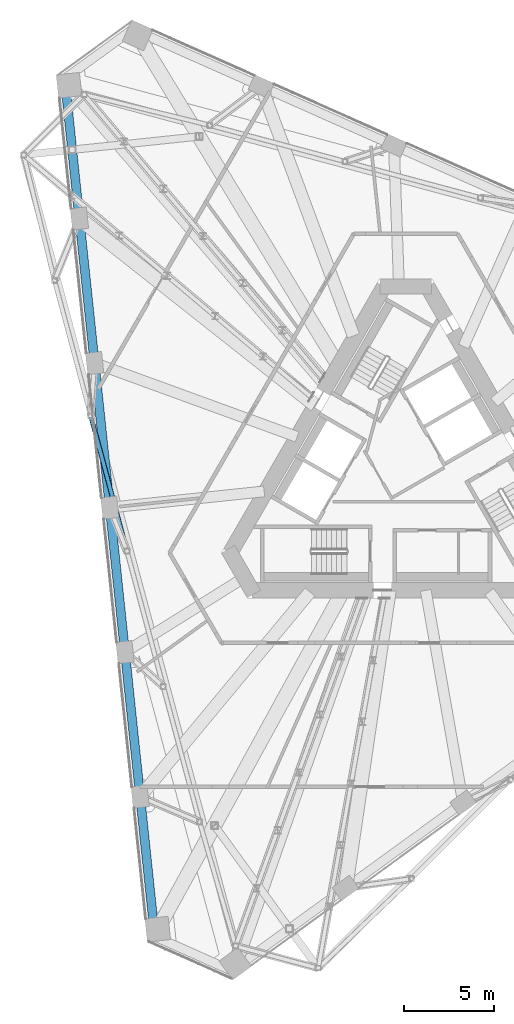
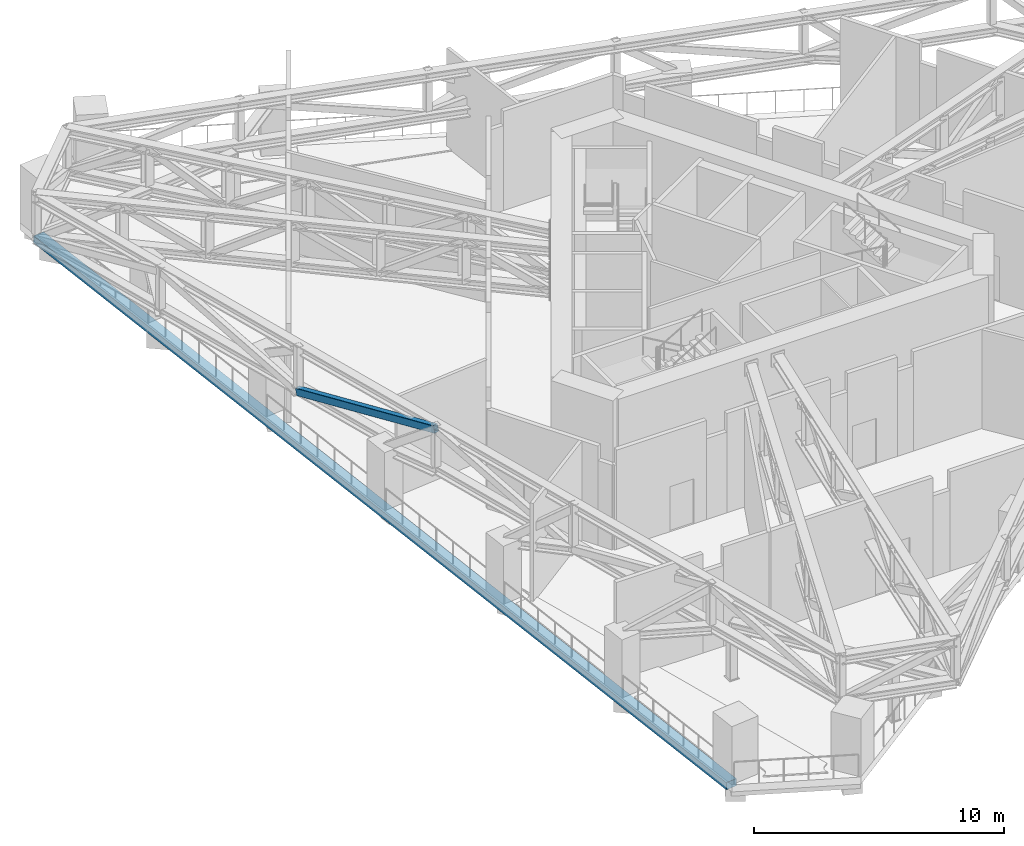
# One storey, part 5 of 26: 1 beam, 1 member.
"""IFC4 building model written with IfcOpenShell, lengths in metres."""

from ifc_helpers import new_model, si_unit, direction, frame, origin, origin_2d, place, context, subcontext, project, spatial, rectangle, hollow_rectangle, extrude, material, material_profile, profile_set, type_object, element, save


model = new_model("IFC4")

# Units and contexts
model_context = context("Model", 3, precision=1e-05, world=origin(), true_north=direction((0.0, 1.0)))
body_context = subcontext(model_context, "Body", "Model", "MODEL_VIEW")
ifc_project = project(units=[si_unit("LENGTHUNIT", "METRE"), si_unit("AREAUNIT", "SQUARE_METRE"), si_unit("VOLUMEUNIT", "CUBIC_METRE"), si_unit("PLANEANGLEUNIT", "RADIAN"), si_unit("MASSUNIT", "GRAM", prefix="KILO")], contexts=[model_context])

# Site, building, storey
site_placement = place(None, origin())
site = spatial("IfcSite", under=ifc_project, at=site_placement, CompositionType="ELEMENT")
building_placement = place(site_placement, origin())
building = spatial("IfcBuilding", under=site, at=building_placement, Name="Tramontana Tower", CompositionType="ELEMENT")
storey_placement = place(building_placement, frame((0.0, 0.0, 194.800048828125)))
storey = spatial("IfcBuildingStorey", under=building, at=storey_placement, Name="L45", CompositionType="ELEMENT", Elevation=194.800048828125)

# Member
ifc_material_1 = material(Name="Steel ASTM A500 Grade C", Category="steel")
ifc_material_profile_1 = material_profile(ifc_material_1, hollow_rectangle(XDim=0.25390625, YDim=0.355712890625, WallThickness=0.01171875, InnerFilletRadius=0.01171875, OuterFilletRadius=0.023681640625, at=origin_2d()), Name="HSS14X10X1/2")
ifc_profile_set_1 = profile_set([ifc_material_profile_1], Name="Steel ASTM A500 Grade C")
member_type = type_object("IfcMemberType", Name="Belt truss HSS14X10X1/2 brace", PredefinedType="BRACE", material=ifc_profile_set_1)
member_placement = place(storey_placement, frame((-17.5205078125, 3.37451171875, 2.617431640625), z_axis=(0.250586583826, -0.935173482445, 0.250313646726), x_axis=(0.965923862644, 0.258826373416, 0.0)))
element("IfcMember", 1, at=member_placement, inside=storey, type_object=member_type, Name="Belt truss diagonal S0.3", PredefinedType="BRACE", context=body_context, shape_type="SweptSolid", body=[
    extrude(hollow_rectangle(XDim=0.25390625, YDim=0.355712890625, WallThickness=0.01171875, InnerFilletRadius=0.01171875, OuterFilletRadius=0.023681640625, at=origin_2d()), origin(), (0.0, 0.0, 1.0), 8.050537109375),
])

# Beam
ifc_material_2 = material(Name="Concrete 40 MPa", Category="concrete")
ifc_material_profile_2 = material_profile(ifc_material_2, rectangle(XDim=0.5, YDim=0.35009765625, at=origin_2d()), Name="RC EDGE BEAM 500X350 40 MPa")
ifc_profile_set_2 = profile_set([ifc_material_profile_2], Name="Concrete 40 MPa")
beam_type = type_object("IfcBeamType", Name="RC EDGE BEAM 500X350 40 MPa", PredefinedType="SPANDREL", material=ifc_profile_set_2)
beam_placement = place(storey_placement, frame((-18.926025390625, 21.739501953125, -0.525146484375), z_axis=(0.104525646884, -0.994522191378, 0.0), x_axis=(0.994522191378, 0.104525646884, 0.0)))
element("IfcBeam", 2, at=beam_placement, inside=storey, type_object=beam_type, Name="Spandrel beam S0 L45", PredefinedType="SPANDREL", context=body_context, shape_type="SweptSolid", body=[
    extrude(rectangle(XDim=0.5, YDim=0.35009765625, at=origin_2d()), origin(), (0.0, 0.0, 1.0), 47.197509765625),
])

save(model, "model.ifc")
